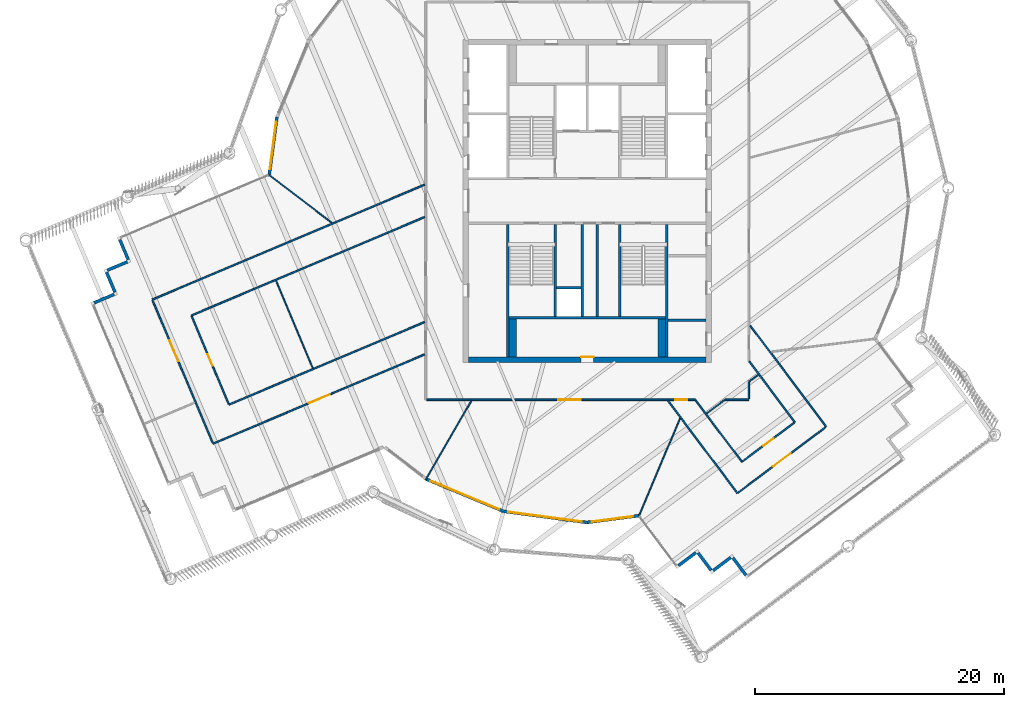
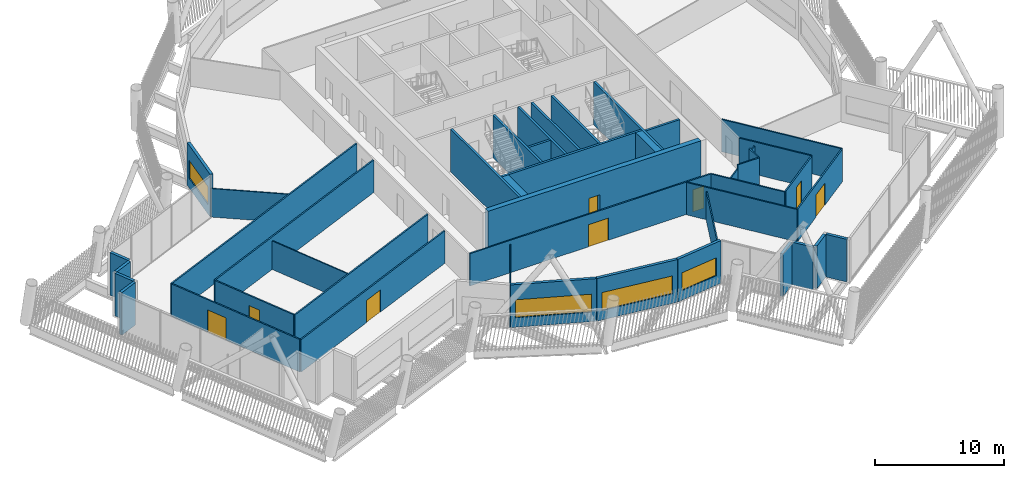
# One storey, part 17 of 35: 45 walls, 8 doors, 4 windows, 12 openings.
"""IFC4 building model written with IfcOpenShell, lengths in metres."""

import ifcopenshell
import ifcopenshell.guid

model = None  # the IFC model being written
_history = None  # IfcOwnerHistory: only IFC2X3 demands one
_inside = {}  # id of a spatial element -> (the spatial element, [elements in it])
_under = {}  # id of a project, library or spatial element -> (it, [spatial elements below it])
_declared = {}  # id of a project -> (the project, [libraries it declares])
_typed = {}  # id of a type object -> (the type object, [elements of that type])
_made_of = {}  # id of a material, layer set ... -> (it, [elements and type objects made of it])


def new_model(schema):
    """Start an empty IFC model of exactly this schema.

    Asked for "IFC4X3", IfcOpenShell would pick the latest addendum, in which some entities
    have other attributes; the version numbers below select the first issue.
    IFC2X3 requires an IfcOwnerHistory on every rooted entity: one is made here for all.
    """
    global model, _history
    if schema == "IFC4X3":
        model = ifcopenshell.file(schema_version=(4, 3, 0, 0))
    else:
        model = ifcopenshell.file(schema=schema)
    _inside.clear()
    _under.clear()
    _declared.clear()
    _typed.clear()
    _made_of.clear()
    _history = None
    if model.schema == "IFC2X3":
        org = make("IfcOrganization", Name="unknown")
        user = make(
            "IfcPersonAndOrganization",
            ThePerson=make("IfcPerson", FamilyName="unknown"),
            TheOrganization=org,
        )
        app = make(
            "IfcApplication",
            ApplicationDeveloper=org,
            Version="unknown",
            ApplicationFullName="unknown",
            ApplicationIdentifier="unknown",
        )
        _history = make(
            "IfcOwnerHistory",
            OwningUser=user,
            OwningApplication=app,
            ChangeAction="ADDED",
            CreationDate=0,
        )
    return model


def make(cls, **values):
    """One entity of the class cls with the attributes given. An attribute that is None is left unset."""
    return model.create_entity(
        cls, **{name: value for name, value in values.items() if value is not None}
    )


def rooted(cls, **values):
    """An entity with a GlobalId (a new one), such as an element, a storey or a relation."""
    return make(cls, GlobalId=ifcopenshell.guid.new(), OwnerHistory=_history, **values)


def si_unit(unit_type, name, prefix=None):
    """IfcSIUnit, for example si_unit("LENGTHUNIT", "METRE", prefix="MILLI")."""
    return make("IfcSIUnit", UnitType=unit_type, Prefix=prefix, Name=name)


def assignment(units):
    """IfcUnitAssignment: the units of a project."""
    return None if units is None else make("IfcUnitAssignment", Units=units)


def point(xyz):
    """IfcCartesianPoint."""
    return None if xyz is None else make("IfcCartesianPoint", Coordinates=xyz)


def direction(xyz):
    """IfcDirection."""
    return None if xyz is None else make("IfcDirection", DirectionRatios=xyz)


def frame(location, z_axis=None, x_axis=None):
    """IfcAxis2Placement3D, a coordinate frame: its origin and axes. An axis left out is left unset."""
    return make(
        "IfcAxis2Placement3D",
        Location=point(location),
        Axis=direction(z_axis),
        RefDirection=direction(x_axis),
    )


def frame_2d(location, x_axis=None):
    """IfcAxis2Placement2D, a coordinate frame in the plane: its origin and x axis."""
    return make(
        "IfcAxis2Placement2D", Location=point(location), RefDirection=direction(x_axis)
    )


def origin():
    """The frame at (0, 0, 0) with its axes left unset."""
    return frame((0.0, 0.0, 0.0))


def place(relative_to, where):
    """IfcLocalPlacement: puts the frame where relative to a parent placement (None: the world)."""
    return make(
        "IfcLocalPlacement", PlacementRelTo=relative_to, RelativePlacement=where
    )


def context(
    kind, dimensions, precision=None, world=None, true_north=None, identifier=None
):
    """IfcGeometricRepresentationContext, for example the 3D "Model" context."""
    return make(
        "IfcGeometricRepresentationContext",
        ContextIdentifier=identifier,
        ContextType=kind,
        CoordinateSpaceDimension=dimensions,
        Precision=precision,
        WorldCoordinateSystem=world,
        TrueNorth=true_north,
    )


def subcontext(parent, identifier, kind, view, scale=None):
    """IfcGeometricRepresentationSubContext, for example "Body" below "Model"."""
    return make(
        "IfcGeometricRepresentationSubContext",
        ContextIdentifier=identifier,
        ContextType=kind,
        ParentContext=parent,
        TargetScale=scale,
        TargetView=view,
    )


def project(units=None, contexts=None):
    """IfcProject with its units and contexts."""
    return rooted(
        "IfcProject",
        Name="project",
        RepresentationContexts=contexts,
        UnitsInContext=assignment(units),
    )


def spatial(cls, under=None, at=None, **own):
    """A site, building, storey or space (cls), placed at a placement, below another one or the project."""
    s = rooted(cls, ObjectPlacement=at, **own)
    if under is not None:
        _under.setdefault(under.id(), (under, []))[1].append(s)
    return s


def profile(cls, at=None, kind="AREA", **sizes):
    """A parametric profile (cls). Its sizes go by their IFC names, for example OverallWidth=200.0."""
    return make(cls, ProfileType=kind, Position=at, **sizes)


def rectangle(**sizes):
    """IfcRectangleProfileDef."""
    return profile("IfcRectangleProfileDef", **sizes)


def extrude(swept, where, along, depth):
    """IfcExtrudedAreaSolid: the profile swept, set in the frame where, extruded along a direction by depth."""
    return make(
        "IfcExtrudedAreaSolid",
        SweptArea=swept,
        Position=where,
        ExtrudedDirection=direction(along),
        Depth=depth,
    )


def shape(context_of_items, identifier, shape_type, items):
    """IfcShapeRepresentation: the items that make up one representation, for example the "Body"."""
    return make(
        "IfcShapeRepresentation",
        ContextOfItems=context_of_items,
        RepresentationIdentifier=identifier,
        RepresentationType=shape_type,
        Items=items,
    )


def material(Name=None, Category=None):
    """IfcMaterial."""
    return make("IfcMaterial", Name=Name, Category=Category)


def layer(
    of_material, thickness, ventilated=None, Name=None, Category=None, Priority=None
):
    """IfcMaterialLayer: one layer of a wall or slab, of a material (None: an air gap)."""
    return make(
        "IfcMaterialLayer",
        Material=of_material,
        LayerThickness=thickness,
        IsVentilated=ventilated,
        Name=Name,
        Category=Category,
        Priority=Priority,
    )


def layer_set(layers, Name=None):
    """IfcMaterialLayerSet."""
    return make("IfcMaterialLayerSet", MaterialLayers=layers, LayerSetName=Name)


def made_of(thing, what):
    """Note that an element or type object is made of a material, layer set ...; save() writes the relation."""
    if what is not None:
        _made_of.setdefault(what.id(), (what, []))[1].append(thing)
    return thing


def type_object(cls, material=None, **own):
    """A type object (cls), such as IfcWallType, which elements share."""
    return made_of(rooted(cls, **own), material)


def element(
    cls,
    number,
    at=None,
    inside=None,
    cuts=None,
    type_object=None,
    material=None,
    context=None,
    identifier="Body",
    shape_type=None,
    held_by="IfcProductDefinitionShape",
    body=None,
    shapes=None,
    **own,
):
    """One element of the class cls, such as IfcWall. Its Tag is "e" and its number.

    at: its placement. inside: the storey or other place that contains it. cuts: it is an
    opening in that element (IfcRelVoidsElement). A single representation is given by context,
    identifier, shape_type and body (its items); several are given by shapes. held_by: the class
    of the entity that holds the representations. save() writes the other relations.
    """
    e = rooted(cls, Tag="e%d" % number, ObjectPlacement=at, **own)
    if body is not None:
        shapes = [shape(context, identifier, shape_type, body)]
    if shapes is not None:
        e.Representation = make(held_by, Representations=shapes)
    if inside is not None:
        _inside.setdefault(inside.id(), (inside, []))[1].append(e)
    if cuts is not None:
        rooted(
            "IfcRelVoidsElement", RelatingBuildingElement=cuts, RelatedOpeningElement=e
        )
    if type_object is not None:
        _typed.setdefault(type_object.id(), (type_object, []))[1].append(e)
    return made_of(e, material)


def fill(opening, filler):
    """IfcRelFillsElement: the door or window that sits in an opening."""
    return rooted(
        "IfcRelFillsElement",
        RelatingOpeningElement=opening,
        RelatedBuildingElement=filler,
    )


def aggregate(whole, parts):
    """IfcRelAggregates: a whole, such as a stair, and the parts it consists of."""
    return rooted("IfcRelAggregates", RelatingObject=whole, RelatedObjects=parts)


def save(model, path):
    """Write the relations noted so far, then the file.

    IfcRelAggregates (storeys below a building ...), IfcRelContainedInSpatialStructure (elements
    in a storey), IfcRelDefinesByType, IfcRelAssociatesMaterial and IfcRelDeclares: one each for
    every whole, place, type object, material and project.
    """
    for whole, parts in _under.values():
        aggregate(whole, parts)
    for where, things in _inside.values():
        rooted(
            "IfcRelContainedInSpatialStructure",
            RelatedElements=things,
            RelatingStructure=where,
        )
    for kind, things in _typed.values():
        rooted("IfcRelDefinesByType", RelatedObjects=things, RelatingType=kind)
    for what, things in _made_of.values():
        rooted("IfcRelAssociatesMaterial", RelatedObjects=things, RelatingMaterial=what)
    for by, libraries in _declared.values():
        rooted("IfcRelDeclares", RelatingContext=by, RelatedDefinitions=libraries)
    model.write(path)


model = new_model("IFC4")

# Units and contexts
model_context = context("Model", 3, precision=1e-05, world=origin(), true_north=direction((0.0, 1.0)))
body_context = subcontext(model_context, "Body", "Model", "MODEL_VIEW")
ifc_project = project(units=[si_unit("LENGTHUNIT", "METRE"), si_unit("AREAUNIT", "SQUARE_METRE"), si_unit("VOLUMEUNIT", "CUBIC_METRE"), si_unit("PLANEANGLEUNIT", "RADIAN"), si_unit("MASSUNIT", "GRAM", prefix="KILO")], contexts=[model_context])

# Site, building, storey
site_placement = place(None, origin())
site = spatial("IfcSite", under=ifc_project, at=site_placement, CompositionType="ELEMENT")
building_placement = place(site_placement, origin())
building = spatial("IfcBuilding", under=site, at=building_placement, Name="Tarsis Ring Headquarters", CompositionType="ELEMENT")
storey_placement = place(building_placement, frame((0.0, 0.0, 377.60009765625)))
storey = spatial("IfcBuildingStorey", under=building, at=storey_placement, Name="L89", CompositionType="ELEMENT", Elevation=377.60009765625)

# Walls
ifc_material_1 = material(Name="Blockwork", Category="masonry")
ifc_layer_1 = layer(ifc_material_1, 0.199951171875)
ifc_layer_set_1 = layer_set([ifc_layer_1], Name="Core blockwork wall 200")
wall_type_1 = type_object("IfcWallType", Name="Core blockwork wall 200", PredefinedType="PARTITIONING", material=ifc_layer_set_1)
wall_1_placement = place(storey_placement, frame((6.5, -9.60009765625, 0.0), z_axis=(0.0, 0.0, 1.0), x_axis=(1.0, 0.0, 0.0)))
element("IfcWall", 1, at=wall_1_placement, inside=storey, type_object=wall_type_1, Name="Core partition ED1", PredefinedType="PARTITIONING", context=body_context, shape_type="SweptSolid", body=[
    extrude(rectangle(XDim=3.050048828125, YDim=0.199951171875, at=frame_2d((1.52490234375, 0.0))), origin(), (0.0, 0.0, 1.0), 4.039794921875),
])
wall_2_placement = place(storey_placement, frame((-2.5, -7.0, 0.0), z_axis=(0.0, 0.0, 1.0), x_axis=(1.0, 0.0, 0.0)))
element("IfcWall", 2, at=wall_2_placement, inside=storey, type_object=wall_type_1, Name="Core partition SP1", PredefinedType="PARTITIONING", context=body_context, shape_type="SweptSolid", body=[
    extrude(rectangle(XDim=2.0, YDim=0.199951171875, at=frame_2d((1.0, 0.0))), origin(), (0.0, 0.0, 1.0), 4.039794921875),
])
for number, where, z_axis, x_axis, name in (
    (3, (-0.39990234375, -9.300048828125, 0.0), (0.0, 0.0, 1.0), (0.0, 1.0, 0.0), "Core partition SV1"),
    (4, (0.800048828125, -9.300048828125, 0.0), (0.0, 0.0, 1.0), (0.0, 1.0, 0.0), "Core partition SV2"),
):
    element("IfcWall", number, at=place(storey_placement, frame(where, z_axis=z_axis, x_axis=x_axis)), inside=storey, type_object=wall_type_1, Name=name, PredefinedType="PARTITIONING", context=body_context, shape_type="SweptSolid", body=[
        extrude(rectangle(XDim=7.400146484375, YDim=0.199951171875, at=frame_2d((3.7001953125, 0.0))), origin(), (0.0, 0.0, 1.0), 4.039794921875),
    ])

# Wall, opening, door
ifc_material_2 = material(Name="Concrete C50/60", Category="concrete")
ifc_layer_2 = layer(ifc_material_2, 0.449951171875)
ifc_layer_set_2 = layer_set([ifc_layer_2], Name="Core wall 450 C50/60")
wall_type_2 = type_object("IfcWallType", Name="Core wall 450 C50/60", PredefinedType="SHEAR", material=ifc_layer_set_2)
wall_3_placement = place(storey_placement, frame((-9.550048828125, -12.77490234375, 0.0), z_axis=(0.0, 0.0, 1.0), x_axis=(1.0, 0.0, 0.0)))
wall_3 = element("IfcWall", 5, at=wall_3_placement, inside=storey, type_object=wall_type_2, Name="Core wall OS", PredefinedType="SHEAR", context=body_context, shape_type="SweptSolid", body=[
    extrude(rectangle(XDim=19.10009765625, YDim=0.449951171875, at=frame_2d((9.550048828125, 0.0))), origin(), (0.0, 0.0, 1.0), 4.039794921875),
])
opening_1_placement = place(wall_3_placement, frame((9.050048828125, 0.0, 0.0)))
opening_1 = element("IfcOpeningElement", 6, at=opening_1_placement, cuts=wall_3, Name="Opening L89-C17", PredefinedType="OPENING", context=body_context, shape_type="SweptSolid", body=[
    extrude(rectangle(XDim=1.0, YDim=2.10009765625, at=frame_2d((0.5, 1.050048828125))), frame((0.0, 0.23486328125, 0.0), z_axis=(0.0, -1.0, 0.0), x_axis=(1.0, 0.0, 0.0)), (0.0, 0.0, 1.0), 0.469970703125),
])
ifc_material_3 = material(Name="Steel S355", Category="steel")
door_type_1 = type_object("IfcDoorType", Name="Core room door 1000x2100", OperationType="SINGLE_SWING_LEFT", PredefinedType="DOOR", material=ifc_material_3)
door_1_placement = place(opening_1_placement, origin())
door_1 = element("IfcDoor", 7, at=door_1_placement, inside=storey, type_object=door_type_1, Name="Core room door L89", OperationType="SINGLE_SWING_LEFT", OverallHeight=2.10009765625, OverallWidth=1.0, PredefinedType="DOOR", context=body_context, shape_type="SweptSolid", body=[
    extrude(rectangle(XDim=1.0, YDim=2.10009765625, at=frame_2d((0.5, 1.050048828125))), frame((0.0, 0.22509765625, 0.0), z_axis=(0.0, -1.0, 0.0), x_axis=(1.0, 0.0, 0.0)), (0.0, 0.0, 1.0), 0.050048828125),
])
fill(opening_1, door_1)

# Walls
ifc_material_4 = material(Name="Gypsum board on steel studs", Category="steel")
ifc_layer_3 = layer(ifc_material_4, 0.10009765625)
ifc_layer_set_3 = layer_set([ifc_layer_3], Name="FL partition 100 unrated")
wall_type_3 = type_object("IfcWallType", Name="FL partition 100 unrated", PredefinedType="PARTITIONING", material=ifc_layer_set_3)
wall_4_placement = place(storey_placement, frame((4.132080078125, -25.377685546875, 0.0), z_axis=(0.0, 0.0, 1.0), x_axis=(0.388632701367, 0.921392762848, 0.0)))
element("IfcWall", 8, at=wall_4_placement, inside=storey, type_object=wall_type_3, Name="Partition PW3", PredefinedType="PARTITIONING", context=body_context, shape_type="SweptSolid", body=[
    extrude(rectangle(XDim=8.54931640625, YDim=0.10009765625, at=frame_2d((4.274658203125, 0.0))), origin(), (0.0, 0.0, 1.0), 2.699951171875),
])
wall_5_placement = place(storey_placement, frame((-25.052490234375, -6.426025390625, 0.0), z_axis=(0.0, 0.0, 1.0), x_axis=(0.388768322464, -0.921335547696, 0.0)))
element("IfcWall", 9, at=wall_5_placement, inside=storey, type_object=wall_type_3, Name="Partition PW3", PredefinedType="PARTITIONING", context=body_context, shape_type="SweptSolid", body=[
    extrude(rectangle(XDim=7.64013671875, YDim=0.10009765625, at=frame_2d((3.820068359375, 0.0))), origin(), (0.0, 0.0, 1.0), 2.699951171875),
])
wall_6_placement = place(storey_placement, frame((-13.02099609375, -22.4443359375, 0.0), z_axis=(0.0, 0.0, 1.0), x_axis=(0.501825805804, 0.864968705, 0.0)))
element("IfcWall", 10, at=wall_6_placement, inside=storey, type_object=wall_type_3, Name="Partition PW3", PredefinedType="PARTITIONING", context=body_context, shape_type="SweptSolid", body=[
    extrude(rectangle(XDim=7.3603515625, YDim=0.10009765625, at=frame_2d((3.68017578125, 0.0))), origin(), (0.0, 0.0, 1.0), 2.699951171875),
])
wall_7_placement = place(storey_placement, frame((-25.64501953125, 2.120849609375, 0.0), z_axis=(0.0, 0.0, 1.0), x_axis=(0.794726988291, -0.606967061776, 0.0)))
element("IfcWall", 11, at=wall_7_placement, inside=storey, type_object=wall_type_3, Name="Partition PW3", PredefinedType="PARTITIONING", context=body_context, shape_type="SweptSolid", body=[
    extrude(rectangle(XDim=6.398681640625, YDim=0.10009765625, at=frame_2d((3.19921875, 0.0))), origin(), (0.0, 0.0, 1.0), 2.699951171875),
])
wall_8_placement = place(storey_placement, frame((9.594970703125, -17.104248046875, 0.0), z_axis=(0.0, 0.0, 1.0), x_axis=(0.79993582945, 0.600085551203, 0.0)))
element("IfcWall", 12, at=wall_8_placement, inside=storey, type_object=wall_type_3, Name="Partition PW3", PredefinedType="PARTITIONING", context=body_context, shape_type="SweptSolid", body=[
    extrude(rectangle(XDim=1.826416015625, YDim=0.10009765625, at=frame_2d((0.9130859375, 0.0))), origin(), (0.0, 0.0, 1.0), 2.699951171875),
])
wall_9_placement = place(storey_placement, frame((13.029052734375, -14.52783203125, 0.0), z_axis=(0.0, 0.0, 1.0), x_axis=(0.799834771446, 0.600220241567, 0.0)))
element("IfcWall", 13, at=wall_9_placement, inside=storey, type_object=wall_type_3, Name="Partition PW3", PredefinedType="PARTITIONING", context=body_context, shape_type="SweptSolid", body=[
    extrude(rectangle(XDim=0.88671875, YDim=0.10009765625, at=frame_2d((0.443359375, 0.0))), origin(), (0.0, 0.0, 1.0), 2.699951171875),
])
ifc_layer_4 = layer(ifc_material_4, 0.125)
ifc_layer_set_4 = layer_set([ifc_layer_4], Name="FL partition 125 EI 60 H3070")
wall_type_4 = type_object("IfcWallType", Name="FL partition 125 EI 60 H3070", PredefinedType="PARTITIONING", material=ifc_layer_set_4)
wall_10_placement = place(storey_placement, frame((-35.005126953125, -7.9453125, 0.0), z_axis=(0.0, 0.0, 1.0), x_axis=(0.921317934505, 0.388810061031, 0.0)))
element("IfcWall", 14, at=wall_10_placement, inside=storey, type_object=wall_type_4, Name="Partition PW1H307", PredefinedType="PARTITIONING", context=body_context, shape_type="SweptSolid", body=[
    extrude(rectangle(XDim=23.794189453125, YDim=0.125, at=frame_2d((11.89697265625, 0.0))), origin(), (0.0, 0.0, 1.0), 3.06982421875),
])

# Wall, openings, doors
wall_11_placement = place(storey_placement, frame((-12.93994140625, -16.0, 0.0), z_axis=(0.0, 0.0, 1.0), x_axis=(1.0, 0.0, 0.0)))
wall_11 = element("IfcWall", 15, at=wall_11_placement, inside=storey, type_object=wall_type_4, Name="Partition PW1H307", PredefinedType="PARTITIONING", context=body_context, shape_type="SweptSolid", body=[
    extrude(rectangle(XDim=21.618896484375, YDim=0.125, at=frame_2d((10.8095703125, 0.0))), origin(), (0.0, 0.0, 1.0), 3.06982421875),
])
opening_2_placement = place(wall_11_placement, frame((10.61328125, 0.0, 0.0)))
opening_2 = element("IfcOpeningElement", 16, at=opening_2_placement, cuts=wall_11, Name="Opening D89.09", PredefinedType="OPENING", context=body_context, shape_type="SweptSolid", body=[
    extrude(rectangle(XDim=1.800048828125, YDim=2.10009765625, at=frame_2d((0.89990234375, 1.050048828125))), frame((0.0, 0.072509765625, 0.0), z_axis=(0.0, -1.0, 0.0), x_axis=(1.0, 0.0, 0.0)), (0.0, 0.0, 1.0), 0.14501953125),
])
opening_3_placement = place(wall_11_placement, frame((19.993896484375, 0.0, 0.0)))
opening_3 = element("IfcOpeningElement", 17, at=opening_3_placement, cuts=wall_11, Name="Opening D89.13", PredefinedType="OPENING", context=body_context, shape_type="SweptSolid", body=[
    extrude(rectangle(XDim=1.0, YDim=2.10009765625, at=frame_2d((0.5, 1.050048828125))), frame((0.0, 0.072509765625, 0.0), z_axis=(0.0, -1.0, 0.0), x_axis=(1.0, 0.0, 0.0)), (0.0, 0.0, 1.0), 0.14501953125),
])
ifc_material_5 = material(Name="Fire-rated timber door leaf in steel frame", Category="steel")
door_type_2 = type_object("IfcDoorType", Name="FL door FD60-1000", OperationType="NOTDEFINED", PredefinedType="DOOR", material=ifc_material_5)
door_2_placement = place(opening_3_placement, origin())
door_2 = element("IfcDoor", 18, at=door_2_placement, inside=storey, type_object=door_type_2, Name="Door D89.13", OperationType="SINGLE_SWING_RIGHT", OverallHeight=2.10009765625, OverallWidth=1.0, PredefinedType="DOOR", context=body_context, shape_type="SweptSolid", body=[
    extrude(rectangle(XDim=1.0, YDim=2.10009765625, at=frame_2d((0.5, 1.050048828125))), frame((0.0, 0.02490234375, 0.0), z_axis=(0.0, -1.0, 0.0), x_axis=(1.0, 0.0, 0.0)), (0.0, 0.0, 1.0), 0.050048828125),
])
fill(opening_3, door_2)
door_type_3 = type_object("IfcDoorType", Name="FL door FD60-1800", OperationType="DOUBLE_DOOR_SINGLE_SWING", PredefinedType="DOOR", material=ifc_material_5)
door_3_placement = place(opening_2_placement, origin())
door_3 = element("IfcDoor", 19, at=door_3_placement, inside=storey, type_object=door_type_3, Name="Door D89.09", OperationType="DOUBLE_DOOR_SINGLE_SWING", OverallHeight=2.10009765625, OverallWidth=1.800048828125, PredefinedType="DOOR", context=body_context, shape_type="SweptSolid", body=[
    extrude(rectangle(XDim=1.800048828125, YDim=2.10009765625, at=frame_2d((0.89990234375, 1.050048828125))), frame((0.0, 0.02490234375, 0.0), z_axis=(0.0, -1.0, 0.0), x_axis=(1.0, 0.0, 0.0)), (0.0, 0.0, 1.0), 0.050048828125),
])
fill(opening_2, door_3)

# Wall
wall_12_placement = place(storey_placement, frame((-31.86083984375, -9.22314453125, 0.0), z_axis=(0.0, 0.0, 1.0), x_axis=(0.921321658127, 0.388801237479, 0.0)))
element("IfcWall", 20, at=wall_12_placement, inside=storey, type_object=wall_type_4, Name="Partition PW1H307", PredefinedType="PARTITIONING", context=body_context, shape_type="SweptSolid", body=[
    extrude(rectangle(XDim=20.38134765625, YDim=0.125, at=frame_2d((10.190673828125, 0.0))), origin(), (0.0, 0.0, 1.0), 3.06982421875),
])

# Wall, opening, door
wall_13_placement = place(storey_placement, frame((-30.114013671875, -19.535400390625, 0.0), z_axis=(0.0, 0.0, 1.0), x_axis=(0.921319589912, 0.388806138383, 0.0)))
wall_13 = element("IfcWall", 21, at=wall_13_placement, inside=storey, type_object=wall_type_4, Name="Partition PW1H307", PredefinedType="PARTITIONING", context=body_context, shape_type="SweptSolid", body=[
    extrude(rectangle(XDim=18.4853515625, YDim=0.125, at=frame_2d((9.24267578125, 0.0))), origin(), (0.0, 0.0, 1.0), 3.06982421875),
])
opening_4_placement = place(wall_13_placement, frame((8.3876953125, 0.0, 0.0)))
opening_4 = element("IfcOpeningElement", 22, at=opening_4_placement, cuts=wall_13, Name="Opening D89.01", PredefinedType="OPENING", context=body_context, shape_type="SweptSolid", body=[
    extrude(rectangle(XDim=1.800048828125, YDim=2.10009765625, at=frame_2d((0.89990234375, 1.050048828125))), frame((0.0, 0.072509765625, 0.0), z_axis=(0.0, -1.0, 0.0), x_axis=(1.0, 0.0, 0.0)), (0.0, 0.0, 1.0), 0.14501953125),
])
door_4_placement = place(opening_4_placement, origin())
door_4 = element("IfcDoor", 23, at=door_4_placement, inside=storey, type_object=door_type_3, Name="Door D89.01", OperationType="DOUBLE_DOOR_SINGLE_SWING", OverallHeight=2.10009765625, OverallWidth=1.800048828125, PredefinedType="DOOR", context=body_context, shape_type="SweptSolid", body=[
    extrude(rectangle(XDim=1.800048828125, YDim=2.10009765625, at=frame_2d((0.89990234375, 1.050048828125))), frame((0.0, 0.02490234375, 0.0), z_axis=(0.0, -1.0, 0.0), x_axis=(1.0, 0.0, 0.0)), (0.0, 0.0, 1.0), 0.050048828125),
])
fill(opening_4, door_4)

# Wall
wall_14_placement = place(storey_placement, frame((-28.8359375, -16.39111328125, 0.0), z_axis=(0.0, 0.0, 1.0), x_axis=(0.921323565747, 0.388796717062, 0.0)))
element("IfcWall", 24, at=wall_14_placement, inside=storey, type_object=wall_type_4, Name="Partition PW1H307", PredefinedType="PARTITIONING", context=body_context, shape_type="SweptSolid", body=[
    extrude(rectangle(XDim=17.09814453125, YDim=0.125, at=frame_2d((8.549072265625, 0.0))), origin(), (0.0, 0.0, 1.0), 3.06982421875),
])

# Wall, opening, door
wall_15_placement = place(storey_placement, frame((-34.981689453125, -8.00048828125, 0.0), z_axis=(0.0, 0.0, 1.0), x_axis=(0.388807582509, -0.921318980475, 0.0)))
wall_15 = element("IfcWall", 25, at=wall_15_placement, inside=storey, type_object=wall_type_4, Name="Partition PW1H307", PredefinedType="PARTITIONING", context=body_context, shape_type="SweptSolid", body=[
    extrude(rectangle(XDim=12.4599609375, YDim=0.125, at=frame_2d((6.22998046875, 0.0))), origin(), (0.0, 0.0, 1.0), 3.06982421875),
])
opening_5_placement = place(wall_15_placement, frame((3.518310546875, 0.0, 0.0)))
opening_5 = element("IfcOpeningElement", 26, at=opening_5_placement, cuts=wall_15, Name="Opening D89.02", PredefinedType="OPENING", context=body_context, shape_type="SweptSolid", body=[
    extrude(rectangle(XDim=1.800048828125, YDim=2.10009765625, at=frame_2d((0.89990234375, 1.050048828125))), frame((0.0, 0.072509765625, 0.0), z_axis=(0.0, -1.0, 0.0), x_axis=(1.0, 0.0, 0.0)), (0.0, 0.0, 1.0), 0.14501953125),
])
door_5_placement = place(opening_5_placement, origin())
door_5 = element("IfcDoor", 27, at=door_5_placement, inside=storey, type_object=door_type_3, Name="Door D89.02", OperationType="DOUBLE_DOOR_SINGLE_SWING", OverallHeight=2.10009765625, OverallWidth=1.800048828125, PredefinedType="DOOR", context=body_context, shape_type="SweptSolid", body=[
    extrude(rectangle(XDim=1.800048828125, YDim=2.10009765625, at=frame_2d((0.89990234375, 1.050048828125))), frame((0.0, 0.02490234375, 0.0), z_axis=(0.0, -1.0, 0.0), x_axis=(1.0, 0.0, 0.0)), (0.0, 0.0, 1.0), 0.050048828125),
])
fill(opening_5, door_5)

# Walls
wall_16_placement = place(storey_placement, frame((13.10205078125, -10.031494140625, 0.0), z_axis=(0.0, 0.0, 1.0), x_axis=(0.600145904648, -0.799890550722, 0.0)))
element("IfcWall", 28, at=wall_16_placement, inside=storey, type_object=wall_type_4, Name="Partition PW1H307", PredefinedType="PARTITIONING", context=body_context, shape_type="SweptSolid", body=[
    extrude(rectangle(XDim=10.1728515625, YDim=0.125, at=frame_2d((5.08642578125, 0.0))), origin(), (0.0, 0.0, 1.0), 3.06982421875),
])
wall_17_placement = place(storey_placement, frame((6.49462890625, -16.087890625, 0.0), z_axis=(0.0, 0.0, 1.0), x_axis=(0.600126086012, -0.799905419964, 0.0)))
element("IfcWall", 29, at=wall_17_placement, inside=storey, type_object=wall_type_4, Name="Partition PW1H307", PredefinedType="PARTITIONING", context=body_context, shape_type="SweptSolid", body=[
    extrude(rectangle(XDim=9.293701171875, YDim=0.125, at=frame_2d((4.64697265625, 0.0))), origin(), (0.0, 0.0, 1.0), 3.06982421875),
])

# Wall, opening, door
wall_18_placement = place(storey_placement, frame((12.1201171875, -23.48583984375, 0.0), z_axis=(0.0, 0.0, 1.0), x_axis=(0.7998934533, 0.600142035994, 0.0)))
wall_18 = element("IfcWall", 30, at=wall_18_placement, inside=storey, type_object=wall_type_4, Name="Partition PW1H307", PredefinedType="PARTITIONING", context=body_context, shape_type="SweptSolid", body=[
    extrude(rectangle(XDim=8.800048828125, YDim=0.125, at=frame_2d((4.39990234375, 0.0))), origin(), (0.0, 0.0, 1.0), 3.06982421875),
])
opening_6_placement = place(wall_18_placement, frame((3.5, 0.0, 0.0)))
opening_6 = element("IfcOpeningElement", 31, at=opening_6_placement, cuts=wall_18, Name="Opening D89.08", PredefinedType="OPENING", context=body_context, shape_type="SweptSolid", body=[
    extrude(rectangle(XDim=1.800048828125, YDim=2.10009765625, at=frame_2d((0.89990234375, 1.050048828125))), frame((0.0, 0.072509765625, 0.0), z_axis=(0.0, -1.0, 0.0), x_axis=(1.0, 0.0, 0.0)), (0.0, 0.0, 1.0), 0.14501953125),
])
door_6_placement = place(opening_6_placement, origin())
door_6 = element("IfcDoor", 32, at=door_6_placement, inside=storey, type_object=door_type_3, Name="Door D89.08", OperationType="DOUBLE_DOOR_SINGLE_SWING", OverallHeight=2.10009765625, OverallWidth=1.800048828125, PredefinedType="DOOR", context=body_context, shape_type="SweptSolid", body=[
    extrude(rectangle(XDim=1.800048828125, YDim=2.10009765625, at=frame_2d((0.89990234375, 1.050048828125))), frame((0.0, 0.02490234375, 0.0), z_axis=(0.0, -1.0, 0.0), x_axis=(1.0, 0.0, 0.0)), (0.0, 0.0, 1.0), 0.050048828125),
])
fill(opening_6, door_6)

wall_19_placement = place(storey_placement, frame((-31.83740234375, -9.278564453125, 0.0), z_axis=(0.0, 0.0, 1.0), x_axis=(0.388816340985, -0.921315284245, 0.0)))
wall_19 = element("IfcWall", 33, at=wall_19_placement, inside=storey, type_object=wall_type_4, Name="Partition PW1H307", PredefinedType="PARTITIONING", context=body_context, shape_type="SweptSolid", body=[
    extrude(rectangle(XDim=7.659912109375, YDim=0.125, at=frame_2d((3.830078125, 0.0))), origin(), (0.0, 0.0, 1.0), 3.06982421875),
])
opening_7_placement = place(wall_19_placement, frame((3.330078125, 0.0, 0.0)))
opening_7 = element("IfcOpeningElement", 34, at=opening_7_placement, cuts=wall_19, Name="Opening D89.11", PredefinedType="OPENING", context=body_context, shape_type="SweptSolid", body=[
    extrude(rectangle(XDim=1.0, YDim=2.10009765625, at=frame_2d((0.5, 1.050048828125))), frame((0.0, 0.072509765625, 0.0), z_axis=(0.0, -1.0, 0.0), x_axis=(1.0, 0.0, 0.0)), (0.0, 0.0, 1.0), 0.14501953125),
])
door_7_placement = place(opening_7_placement, origin())
door_7 = element("IfcDoor", 35, at=door_7_placement, inside=storey, type_object=door_type_2, Name="Door D89.11", OperationType="SINGLE_SWING_RIGHT", OverallHeight=2.10009765625, OverallWidth=1.0, PredefinedType="DOOR", context=body_context, shape_type="SweptSolid", body=[
    extrude(rectangle(XDim=1.0, YDim=2.10009765625, at=frame_2d((0.5, 1.050048828125))), frame((0.0, 0.02490234375, 0.0), z_axis=(0.0, -1.0, 0.0), x_axis=(1.0, 0.0, 0.0)), (0.0, 0.0, 1.0), 0.050048828125),
])
fill(opening_7, door_7)

# Walls
wall_20_placement = place(storey_placement, frame((8.702880859375, -16.031982421875, 0.0), z_axis=(0.0, 0.0, 1.0), x_axis=(0.600150881712, -0.799886816481, 0.0)))
element("IfcWall", 36, at=wall_20_placement, inside=storey, type_object=wall_type_4, Name="Partition PW1H307", PredefinedType="PARTITIONING", context=body_context, shape_type="SweptSolid", body=[
    extrude(rectangle(XDim=6.213134765625, YDim=0.125, at=frame_2d((3.1064453125, 0.0))), origin(), (0.0, 0.0, 1.0), 3.06982421875),
])
wall_21_placement = place(storey_placement, frame((13.01806640625, -12.918701171875, 0.0), z_axis=(0.0, 0.0, 1.0), x_axis=(0.600121391084, -0.799908942295, 0.0)))
element("IfcWall", 37, at=wall_21_placement, inside=storey, type_object=wall_type_4, Name="Partition PW1H307", PredefinedType="PARTITIONING", context=body_context, shape_type="SweptSolid", body=[
    extrude(rectangle(XDim=6.11376953125, YDim=0.125, at=frame_2d((3.056884765625, 0.0))), origin(), (0.0, 0.0, 1.0), 3.06982421875),
])

# Wall, opening, door
wall_22_placement = place(storey_placement, frame((12.479736328125, -20.9658203125, 0.0), z_axis=(0.0, 0.0, 1.0), x_axis=(0.799904209764, 0.600127699079, 0.0)))
wall_22 = element("IfcWall", 38, at=wall_22_placement, inside=storey, type_object=wall_type_4, Name="Partition PW1H307", PredefinedType="PARTITIONING", context=body_context, shape_type="SweptSolid", body=[
    extrude(rectangle(XDim=5.199951171875, YDim=0.125, at=frame_2d((2.60009765625, 0.0))), origin(), (0.0, 0.0, 1.0), 3.06982421875),
])
opening_8_placement = place(wall_22_placement, frame((2.10009765625, 0.0, 0.0)))
opening_8 = element("IfcOpeningElement", 39, at=opening_8_placement, cuts=wall_22, Name="Opening D89.12", PredefinedType="OPENING", context=body_context, shape_type="SweptSolid", body=[
    extrude(rectangle(XDim=1.0, YDim=2.10009765625, at=frame_2d((0.5, 1.050048828125))), frame((0.0, 0.072509765625, 0.0), z_axis=(0.0, -1.0, 0.0), x_axis=(1.0, 0.0, 0.0)), (0.0, 0.0, 1.0), 0.14501953125),
])
door_8_placement = place(opening_8_placement, origin())
door_8 = element("IfcDoor", 40, at=door_8_placement, inside=storey, type_object=door_type_2, Name="Door D89.12", OperationType="SINGLE_SWING_LEFT", OverallHeight=2.10009765625, OverallWidth=1.0, PredefinedType="DOOR", context=body_context, shape_type="SweptSolid", body=[
    extrude(rectangle(XDim=1.0, YDim=2.10009765625, at=frame_2d((0.5, 1.050048828125))), frame((0.0, 0.02490234375, 0.0), z_axis=(0.0, -1.0, 0.0), x_axis=(1.0, 0.0, 0.0)), (0.0, 0.0, 1.0), 0.050048828125),
])
fill(opening_8, door_8)

# Walls
wall_23_placement = place(storey_placement, frame((11.074951171875, -16.0, 0.0), z_axis=(0.0, 0.0, 1.0), x_axis=(1.0, 0.0, 0.0)))
element("IfcWall", 41, at=wall_23_placement, inside=storey, type_object=wall_type_4, Name="Partition PW1H307", PredefinedType="PARTITIONING", context=body_context, shape_type="SweptSolid", body=[
    extrude(rectangle(XDim=1.924072265625, YDim=0.125, at=frame_2d((0.9619140625, 0.0))), origin(), (0.0, 0.0, 1.0), 3.06982421875),
])
wall_24_placement = place(storey_placement, frame((13.0, -15.93896484375, 0.0), z_axis=(0.0, 0.0, 1.0), x_axis=(0.0, 1.0, 0.0)))
element("IfcWall", 42, at=wall_24_placement, inside=storey, type_object=wall_type_4, Name="Partition PW1H307", PredefinedType="PARTITIONING", context=body_context, shape_type="SweptSolid", body=[
    extrude(rectangle(XDim=1.38330078125, YDim=0.125, at=frame_2d((0.691650390625, 0.0))), origin(), (0.0, 0.0, 1.0), 3.06982421875),
])

# Wall, opening, window
ifc_material_6 = material(Name="Terracotta clad insulated panel wall", Category="masonry")
ifc_layer_5 = layer(ifc_material_6, 0.25)
ifc_layer_set_5 = layer_set([ifc_layer_5], Name="Facade wall terracotta panel 250")
wall_type_5 = type_object("IfcWallType", Name="Facade wall terracotta panel 250", PredefinedType="STANDARD", material=ifc_layer_set_5)
wall_25_placement = place(storey_placement, frame((-12.96875, -22.38671875, 0.0), z_axis=(0.0, 0.0, 1.0), x_axis=(0.923079072274, -0.384610226502, 0.0)))
wall_25 = element("IfcWall", 43, at=wall_25_placement, inside=storey, type_object=wall_type_5, Name="External wall L89-03", PredefinedType="STANDARD", context=body_context, shape_type="SweptSolid", body=[
    extrude(rectangle(XDim=6.7216796875, YDim=0.25, at=frame_2d((3.36083984375, 0.0))), origin(), (0.0, 0.0, 1.0), 4.039794921875),
])
opening_9_placement = place(wall_25_placement, frame((0.3857421875, 0.0, 0.89990234375)))
opening_9 = element("IfcOpeningElement", 44, at=opening_9_placement, cuts=wall_25, Name="Opening WN07", PredefinedType="OPENING", context=body_context, shape_type="SweptSolid", body=[
    extrude(rectangle(XDim=5.949951171875, YDim=1.699951171875, at=frame_2d((2.97509765625, 0.85009765625))), frame((0.0, 0.135009765625, 0.0), z_axis=(0.0, -1.0, 0.0), x_axis=(1.0, 0.0, 0.0)), (0.0, 0.0, 1.0), 0.27001953125),
])
ifc_material_7 = material(Name="Aluminium framed double glazing", Category="aluminium")
window_type_1 = type_object("IfcWindowType", Name="Facade window 5950 x 1700", PartitioningType="SINGLE_PANEL", PredefinedType="WINDOW", material=ifc_material_7)
window_1_placement = place(opening_9_placement, origin())
window_1 = element("IfcWindow", 45, at=window_1_placement, inside=storey, type_object=window_type_1, Name="Window L89-03.1", OverallHeight=1.699951171875, OverallWidth=5.949951171875, PartitioningType="SINGLE_PANEL", PredefinedType="WINDOW", context=body_context, shape_type="SweptSolid", body=[
    extrude(rectangle(XDim=5.949951171875, YDim=1.699951171875, at=frame_2d((2.97509765625, 0.85009765625))), frame((0.0, 0.030029296875, 0.0), z_axis=(0.0, -1.0, 0.0), x_axis=(1.0, 0.0, 0.0)), (0.0, 0.0, 1.0), 0.06005859375),
])
fill(opening_9, window_1)

wall_26_placement = place(storey_placement, frame((-6.732666015625, -24.98046875, 0.0), z_axis=(0.0, 0.0, 1.0), x_axis=(0.991172616486, -0.132577691666, 0.0)))
wall_26 = element("IfcWall", 46, at=wall_26_placement, inside=storey, type_object=wall_type_5, Name="External wall L89-04", PredefinedType="STANDARD", context=body_context, shape_type="SweptSolid", body=[
    extrude(rectangle(XDim=6.721435546875, YDim=0.25, at=frame_2d((3.36083984375, 0.0))), origin(), (0.0, 0.0, 1.0), 4.039794921875),
])
opening_10_placement = place(wall_26_placement, frame((0.3857421875, 0.0, 0.89990234375)))
opening_10 = element("IfcOpeningElement", 47, at=opening_10_placement, cuts=wall_26, Name="Opening WN07", PredefinedType="OPENING", context=body_context, shape_type="SweptSolid", body=[
    extrude(rectangle(XDim=5.949951171875, YDim=1.699951171875, at=frame_2d((2.97509765625, 0.85009765625))), frame((0.0, 0.135009765625, 0.0), z_axis=(0.0, -1.0, 0.0), x_axis=(1.0, 0.0, 0.0)), (0.0, 0.0, 1.0), 0.27001953125),
])
window_2_placement = place(opening_10_placement, origin())
window_2 = element("IfcWindow", 48, at=window_2_placement, inside=storey, type_object=window_type_1, Name="Window L89-04.1", OverallHeight=1.699951171875, OverallWidth=5.949951171875, PartitioningType="SINGLE_PANEL", PredefinedType="WINDOW", context=body_context, shape_type="SweptSolid", body=[
    extrude(rectangle(XDim=5.949951171875, YDim=1.699951171875, at=frame_2d((2.97509765625, 0.85009765625))), frame((0.0, 0.030029296875, 0.0), z_axis=(0.0, -1.0, 0.0), x_axis=(1.0, 0.0, 0.0)), (0.0, 0.0, 1.0), 0.06005859375),
])
fill(opening_10, window_2)

wall_27_placement = place(storey_placement, frame((-0.037841796875, -25.871826171875, 0.0), z_axis=(0.0, 0.0, 1.0), x_axis=(0.991716627325, 0.128445050847, 0.0)))
wall_27 = element("IfcWall", 49, at=wall_27_placement, inside=storey, type_object=wall_type_5, Name="External wall L89-05", PredefinedType="STANDARD", context=body_context, shape_type="SweptSolid", body=[
    extrude(rectangle(XDim=4.20263671875, YDim=0.25, at=frame_2d((2.101318359375, 0.0))), origin(), (0.0, 0.0, 1.0), 4.039794921875),
])
opening_11_placement = place(wall_27_placement, frame((0.38720703125, 0.0, 0.89990234375)))
opening_11 = element("IfcOpeningElement", 50, at=opening_11_placement, cuts=wall_27, Name="Opening WN01", PredefinedType="OPENING", context=body_context, shape_type="SweptSolid", body=[
    extrude(rectangle(XDim=3.35009765625, YDim=1.699951171875, at=frame_2d((1.675048828125, 0.85009765625))), frame((0.0, 0.135009765625, 0.0), z_axis=(0.0, -1.0, 0.0), x_axis=(1.0, 0.0, 0.0)), (0.0, 0.0, 1.0), 0.27001953125),
])
window_type_2 = type_object("IfcWindowType", Name="Facade window 3350 x 1700", PartitioningType="SINGLE_PANEL", PredefinedType="WINDOW", material=ifc_material_7)
window_3_placement = place(opening_11_placement, origin())
window_3 = element("IfcWindow", 51, at=window_3_placement, inside=storey, type_object=window_type_2, Name="Window L89-05.1", OverallHeight=1.699951171875, OverallWidth=3.35009765625, PartitioningType="SINGLE_PANEL", PredefinedType="WINDOW", context=body_context, shape_type="SweptSolid", body=[
    extrude(rectangle(XDim=3.35009765625, YDim=1.699951171875, at=frame_2d((1.675048828125, 0.85009765625))), frame((0.0, 0.030029296875, 0.0), z_axis=(0.0, -1.0, 0.0), x_axis=(1.0, 0.0, 0.0)), (0.0, 0.0, 1.0), 0.06005859375),
])
fill(opening_11, window_3)

# Walls
for number, where, z_axis, x_axis, name in (
    (52, (7.330078125, -29.3486328125, 0.0), (0.0, 0.0, 1.0), (0.799899547969, 0.600133912689, 0.0), "External wall L89-07"),
    (53, (8.905029296875, -28.323486328125, 0.0), (0.0, 0.0, 1.0), (0.600200885142, -0.799849296727, 0.0), "External wall L89-08"),
    (54, (10.130126953125, -29.748291015625, 0.0), (0.0, 0.0, 1.0), (0.799899547969, 0.600133912689, 0.0), "External wall L89-09"),
    (55, (11.705078125, -28.722900390625, 0.0), (0.0, 0.0, 1.0), (0.600133912689, -0.799899547969, 0.0), "External wall L89-10"),
):
    element("IfcWall", number, at=place(storey_placement, frame(where, z_axis=z_axis, x_axis=x_axis)), inside=storey, type_object=wall_type_5, Name=name, PredefinedType="STANDARD", context=body_context, shape_type="SweptSolid", body=[
        extrude(rectangle(XDim=1.75, YDim=0.25, at=frame_2d((0.875, 0.0))), origin(), (0.0, 0.0, 1.0), 4.039794921875),
    ])

# Wall, opening, window
wall_28_placement = place(storey_placement, frame((-24.98046875, 6.732666015625, 0.0), z_axis=(0.0, 0.0, 1.0), x_axis=(-0.132575271245, -0.991172940235, 0.0)))
wall_28 = element("IfcWall", 56, at=wall_28_placement, inside=storey, type_object=wall_type_5, Name="External wall L89-30", PredefinedType="STANDARD", context=body_context, shape_type="SweptSolid", body=[
    extrude(rectangle(XDim=4.662841796875, YDim=0.25, at=frame_2d((2.33154296875, 0.0))), origin(), (0.0, 0.0, 1.0), 4.039794921875),
])
opening_12_placement = place(wall_28_placement, frame((0.367431640625, 0.0, 0.89990234375)))
opening_12 = element("IfcOpeningElement", 57, at=opening_12_placement, cuts=wall_28, Name="Opening WN02", PredefinedType="OPENING", context=body_context, shape_type="SweptSolid", body=[
    extrude(rectangle(XDim=3.85009765625, YDim=1.699951171875, at=frame_2d((1.925048828125, 0.85009765625))), frame((0.0, 0.135009765625, 0.0), z_axis=(0.0, -1.0, 0.0), x_axis=(1.0, 0.0, 0.0)), (0.0, 0.0, 1.0), 0.27001953125),
])
window_type_3 = type_object("IfcWindowType", Name="Facade window 3850 x 1700", PartitioningType="SINGLE_PANEL", PredefinedType="WINDOW", material=ifc_material_7)
window_4_placement = place(opening_12_placement, origin())
window_4 = element("IfcWindow", 58, at=window_4_placement, inside=storey, type_object=window_type_3, Name="Window L89-30.1", OverallHeight=1.699951171875, OverallWidth=3.85009765625, PartitioningType="SINGLE_PANEL", PredefinedType="WINDOW", context=body_context, shape_type="SweptSolid", body=[
    extrude(rectangle(XDim=3.85009765625, YDim=1.699951171875, at=frame_2d((1.925048828125, 0.85009765625))), frame((0.0, 0.030029296875, 0.0), z_axis=(0.0, -1.0, 0.0), x_axis=(1.0, 0.0, 0.0)), (0.0, 0.0, 1.0), 0.06005859375),
])
fill(opening_12, window_4)

# Walls
for number, where, z_axis, x_axis, name in (
    (59, (-37.620849609375, -3.122802734375, 0.0), (0.0, 0.0, 1.0), (0.388811531492, -0.921317313947, 0.0), "External wall L89-32"),
    (60, (-37.007080078125, -4.89892578125, 0.0), (0.0, 0.0, 1.0), (-0.921317313947, -0.388811531492, 0.0), "External wall L89-33"),
    (61, (-38.685791015625, -5.742919921875, 0.0), (0.0, 0.0, 1.0), (0.388811531492, -0.921317313947, 0.0), "External wall L89-34"),
    (62, (-38.072021484375, -7.51904296875, 0.0), (0.0, 0.0, 1.0), (-0.921317313947, -0.388811531492, 0.0), "External wall L89-35"),
):
    element("IfcWall", number, at=place(storey_placement, frame(where, z_axis=z_axis, x_axis=x_axis)), inside=storey, type_object=wall_type_5, Name=name, PredefinedType="STANDARD", context=body_context, shape_type="SweptSolid", body=[
        extrude(rectangle(XDim=1.75, YDim=0.25, at=frame_2d((0.875, 0.0))), origin(), (0.0, 0.0, 1.0), 4.039794921875),
    ])
ifc_material_8 = material(Name="Concrete C32/40", Category="concrete")
ifc_layer_6 = layer(ifc_material_8, 0.60009765625)
ifc_layer_set_6 = layer_set([ifc_layer_6], Name="Shaft end wall 600 C32/40")
wall_type_6 = type_object("IfcWallType", Name="Shaft end wall 600 C32/40", PredefinedType="SOLIDWALL", material=ifc_layer_set_6)
for number, where, z_axis, x_axis, name in (
    (63, (-6.0, -12.550048828125, 0.0), (0.0, 0.0, 1.0), (0.0, 1.0, 0.0), "Core shaft wall SNE1"),
    (64, (6.0, -12.550048828125, 0.0), (0.0, 0.0, 1.0), (0.0, 1.0, 0.0), "Core shaft wall SNE2"),
):
    element("IfcWall", number, at=place(storey_placement, frame(where, z_axis=z_axis, x_axis=x_axis)), inside=storey, type_object=wall_type_6, Name=name, PredefinedType="SOLIDWALL", context=body_context, shape_type="SweptSolid", body=[
        extrude(rectangle(XDim=3.050048828125, YDim=0.60009765625, at=frame_2d((1.52490234375, 0.0))), origin(), (0.0, 0.0, 1.0), 4.039794921875),
    ])
ifc_layer_7 = layer(ifc_material_8, 0.199951171875)
ifc_layer_set_7 = layer_set([ifc_layer_7], Name="Shaft wall 200 C32/40")
wall_type_7 = type_object("IfcWallType", Name="Shaft wall 200 C32/40", PredefinedType="SOLIDWALL", material=ifc_layer_set_7)
for number, where, z_axis, x_axis, name in (
    (65, (-6.39990234375, -12.550048828125, 0.0), (0.0, 0.0, 1.0), (0.0, 1.0, 0.0), "Core shaft wall WB1"),
    (66, (6.39990234375, -12.550048828125, 0.0), (0.0, 0.0, 1.0), (0.0, 1.0, 0.0), "Core shaft wall EB1"),
):
    element("IfcWall", number, at=place(storey_placement, frame(where, z_axis=z_axis, x_axis=x_axis)), inside=storey, type_object=wall_type_7, Name=name, PredefinedType="SOLIDWALL", context=body_context, shape_type="SweptSolid", body=[
        extrude(rectangle(XDim=10.650146484375, YDim=0.199951171875, at=frame_2d((5.3251953125, 0.0))), origin(), (0.0, 0.0, 1.0), 4.039794921875),
    ])
wall_29_placement = place(storey_placement, frame((-6.300048828125, -9.39990234375, 0.0), z_axis=(0.0, 0.0, 1.0), x_axis=(1.0, 0.0, 0.0)))
element("IfcWall", 67, at=wall_29_placement, inside=storey, type_object=wall_type_7, Name="Core shaft wall SB", PredefinedType="SOLIDWALL", context=body_context, shape_type="SweptSolid", body=[
    extrude(rectangle(XDim=12.60009765625, YDim=0.199951171875, at=frame_2d((6.300048828125, 0.0))), origin(), (0.0, 0.0, 1.0), 4.039794921875),
])
for number, where, z_axis, x_axis, name in (
    (68, (-2.60009765625, -9.300048828125, 0.0), (0.0, 0.0, 1.0), (0.0, 1.0, 0.0), "Core shaft wall SW3"),
    (69, (2.60009765625, -9.300048828125, 0.0), (0.0, 0.0, 1.0), (0.0, 1.0, 0.0), "Core shaft wall SW4"),
):
    element("IfcWall", number, at=place(storey_placement, frame(where, z_axis=z_axis, x_axis=x_axis)), inside=storey, type_object=wall_type_7, Name=name, PredefinedType="SOLIDWALL", context=body_context, shape_type="SweptSolid", body=[
        extrude(rectangle(XDim=7.400146484375, YDim=0.199951171875, at=frame_2d((3.7001953125, 0.0))), origin(), (0.0, 0.0, 1.0), 4.039794921875),
    ])

save(model, "model.ifc")
